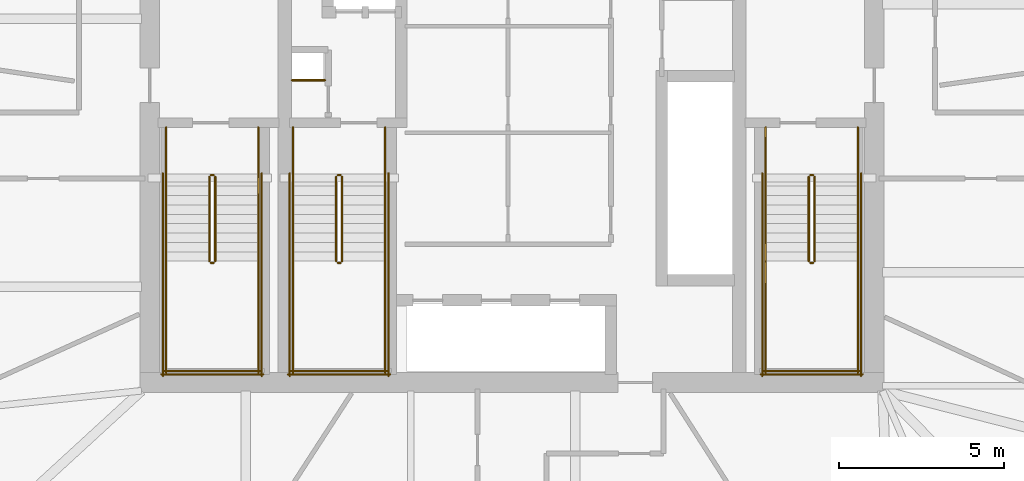
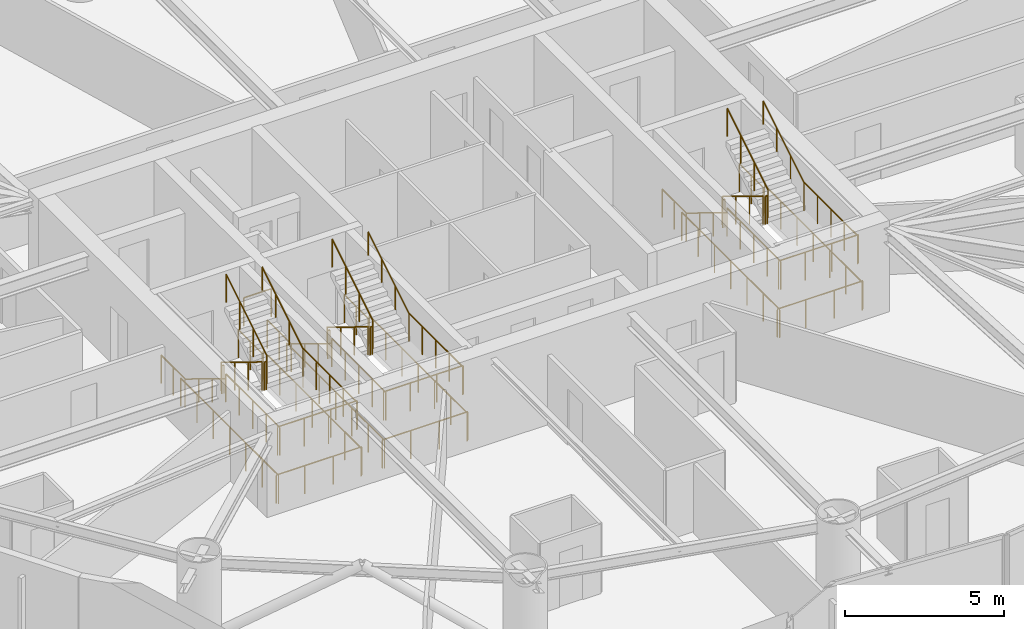
# One storey, part 21 of 22: 43 railings.
"""IFC4 building model written with IfcOpenShell, lengths in metres."""

from ifc_helpers import new_model, si_unit, direction, frame, origin, origin_2d, place, context, subcontext, project, spatial, circle, extrude, material, type_object, element, save


model = new_model("IFC4")

# Units and contexts
model_context = context("Model", 3, precision=1e-05, world=origin(), true_north=direction((0.0, 1.0)))
body_context = subcontext(model_context, "Body", "Model", "MODEL_VIEW")
ifc_project = project(units=[si_unit("LENGTHUNIT", "METRE"), si_unit("AREAUNIT", "SQUARE_METRE"), si_unit("VOLUMEUNIT", "CUBIC_METRE"), si_unit("PLANEANGLEUNIT", "RADIAN"), si_unit("MASSUNIT", "GRAM", prefix="KILO")], contexts=[model_context])

# Site, building, storey
site_placement = place(None, origin())
site = spatial("IfcSite", under=ifc_project, at=site_placement, CompositionType="ELEMENT")
building_placement = place(site_placement, origin())
building = spatial("IfcBuilding", under=site, at=building_placement, Name="Bramvorn Convention Spire", CompositionType="ELEMENT")
storey_placement = place(building_placement, frame((0.0, 0.0, 134.300048828125)))
storey = spatial("IfcBuildingStorey", under=building, at=storey_placement, Name="L33", CompositionType="ELEMENT", Elevation=134.300048828125)

# Railings
ifc_material_1 = material(Name="Painted Steel Balustrade & Guardrail", Category="steel")
railing_type_1 = type_object("IfcRailingType", Name="RL-STAIR-GUARD-1100", PredefinedType="GUARDRAIL", material=ifc_material_1)
railing_1_placement = place(storey_placement, frame((28.81005859375, 25.050048828125, 0.175048828125)))
element("IfcRailing", 1, at=railing_1_placement, inside=storey, type_object=railing_type_1, Name="L33 ST1 stair guard 1", PredefinedType="GUARDRAIL", context=body_context, shape_type="SweptSolid", body=[
    extrude(circle(Radius=0.02392578125, at=origin_2d()), frame((0.0, 0.0, 1.076171875), z_axis=(0.0, -0.852173129349, 0.523259933127), x_axis=(1.0, 0.0, 0.0)), (0.0, 0.0, 1.0), 3.009765625),
    extrude(circle(Radius=0.02099609375, at=origin_2d()), origin(), (0.0, 0.0, 1.0), 1.052001953125),
    extrude(circle(Radius=0.02099609375, at=origin_2d()), frame((0.0, -0.85498046875, 0.52490234375)), (0.0, 0.0, 1.0), 1.052001953125),
    extrude(circle(Radius=0.02099609375, at=origin_2d()), frame((0.0, -1.7099609375, 1.050048828125)), (0.0, 0.0, 1.0), 1.052001953125),
    extrude(circle(Radius=0.02099609375, at=origin_2d()), frame((0.0, -2.56494140625, 1.574951171875)), (0.0, 0.0, 1.0), 1.052001953125),
])
railing_2_placement = place(storey_placement, frame((28.860107421875, 22.43505859375, 1.75)))
element("IfcRailing", 2, at=railing_2_placement, inside=storey, type_object=railing_type_1, Name="L33 ST1 stair guard 2", PredefinedType="GUARDRAIL", context=body_context, shape_type="SweptSolid", body=[
    extrude(circle(Radius=0.02392578125, at=origin_2d()), frame((0.0, 0.0, 1.076171875), z_axis=(1.0, 0.0, 0.0), x_axis=(0.0, 1.0, 0.0)), (0.0, 0.0, 1.0), 0.079833984375),
    extrude(circle(Radius=0.02099609375, at=origin_2d()), origin(), (0.0, 0.0, 1.0), 1.052001953125),
    extrude(circle(Radius=0.02099609375, at=origin_2d()), frame((0.079833984375, 0.0, 0.0)), (0.0, 0.0, 1.0), 1.052001953125),
])
for number, where, name in (
    (3, (27.5, 22.485107421875, 1.75), "L33 ST1 stair guard 3"),
    (4, (30.300048828125, 22.485107421875, 1.75), "L33 ST1 stair guard 4"),
):
    element("IfcRailing", number, at=place(storey_placement, frame(where)), inside=storey, type_object=railing_type_1, Name=name, PredefinedType="GUARDRAIL", context=body_context, shape_type="SweptSolid", body=[
        extrude(circle(Radius=0.02392578125, at=origin_2d()), frame((0.0, 0.0, 1.076171875), z_axis=(0.0, -1.0, 0.0), x_axis=(1.0, 0.0, 0.0)), (0.0, 0.0, 1.0), 3.385009765625),
        extrude(circle(Radius=0.02099609375, at=origin_2d()), origin(), (0.0, 0.0, 1.0), 1.052001953125),
        extrude(circle(Radius=0.02099609375, at=origin_2d()), frame((0.0, -0.84619140625, 0.0)), (0.0, 0.0, 1.0), 1.052001953125),
        extrude(circle(Radius=0.02099609375, at=origin_2d()), frame((0.0, -1.6923828125, 0.0)), (0.0, 0.0, 1.0), 1.052001953125),
        extrude(circle(Radius=0.02099609375, at=origin_2d()), frame((0.0, -2.538818359375, 0.0)), (0.0, 0.0, 1.0), 1.052001953125),
        extrude(circle(Radius=0.02099609375, at=origin_2d()), frame((0.0, -3.385009765625, 0.0)), (0.0, 0.0, 1.0), 1.052001953125),
    ])
railing_3_placement = place(storey_placement, frame((27.449951171875, 19.14990234375, 1.75)))
element("IfcRailing", 5, at=railing_3_placement, inside=storey, type_object=railing_type_1, Name="L33 ST1 stair guard 5", PredefinedType="GUARDRAIL", context=body_context, shape_type="SweptSolid", body=[
    extrude(circle(Radius=0.02392578125, at=origin_2d()), frame((0.0, 0.0, 1.076171875), z_axis=(1.0, 0.0, 0.0), x_axis=(0.0, 1.0, 0.0)), (0.0, 0.0, 1.0), 2.900146484375),
    extrude(circle(Radius=0.02099609375, at=origin_2d()), origin(), (0.0, 0.0, 1.0), 1.052001953125),
    extrude(circle(Radius=0.02099609375, at=origin_2d()), frame((0.966796875, 0.0, 0.0)), (0.0, 0.0, 1.0), 1.052001953125),
    extrude(circle(Radius=0.02099609375, at=origin_2d()), frame((1.933349609375, 0.0, 0.0)), (0.0, 0.0, 1.0), 1.052001953125),
    extrude(circle(Radius=0.02099609375, at=origin_2d()), frame((2.900146484375, 0.0, 0.0)), (0.0, 0.0, 1.0), 1.052001953125),
])
railing_4_placement = place(storey_placement, frame((28.989990234375, 22.485107421875, 1.925048828125)))
element("IfcRailing", 6, at=railing_4_placement, inside=storey, type_object=railing_type_1, Name="L33 ST1 stair guard 6", PredefinedType="GUARDRAIL", context=body_context, shape_type="SweptSolid", body=[
    extrude(circle(Radius=0.02392578125, at=origin_2d()), frame((0.0, 0.0, 1.076171875), z_axis=(0.0, 0.852173129349, 0.523259933127), x_axis=(-1.0, 0.0, 0.0)), (0.0, 0.0, 1.0), 3.009765625),
    extrude(circle(Radius=0.02099609375, at=origin_2d()), origin(), (0.0, 0.0, 1.0), 1.052001953125),
    extrude(circle(Radius=0.02099609375, at=origin_2d()), frame((0.0, 0.85498046875, 0.52490234375)), (0.0, 0.0, 1.0), 1.052001953125),
    extrude(circle(Radius=0.02099609375, at=origin_2d()), frame((0.0, 1.7099609375, 1.050048828125)), (0.0, 0.0, 1.0), 1.052001953125),
    extrude(circle(Radius=0.02099609375, at=origin_2d()), frame((0.0, 2.56494140625, 1.574951171875)), (0.0, 0.0, 1.0), 1.052001953125),
])
railing_5_placement = place(storey_placement, frame((28.860107421875, 25.10009765625, 0.0)))
element("IfcRailing", 7, at=railing_5_placement, inside=storey, type_object=railing_type_1, Name="L33 ST1 stair guard 7", PredefinedType="GUARDRAIL", context=body_context, shape_type="SweptSolid", body=[
    extrude(circle(Radius=0.02392578125, at=origin_2d()), frame((0.0, 0.0, 1.076171875), z_axis=(1.0, 0.0, 0.0), x_axis=(0.0, 1.0, 0.0)), (0.0, 0.0, 1.0), 0.079833984375),
    extrude(circle(Radius=0.02099609375, at=origin_2d()), origin(), (0.0, 0.0, 1.0), 1.052001953125),
    extrude(circle(Radius=0.02099609375, at=origin_2d()), frame((0.079833984375, 0.0, 0.0)), (0.0, 0.0, 1.0), 1.052001953125),
])
for number, where, name in (
    (8, (27.5, 26.550048828125, 0.0), "L33 ST1 stair guard 8"),
    (9, (30.300048828125, 26.550048828125, 0.0), "L33 ST1 stair guard 9"),
):
    element("IfcRailing", number, at=place(storey_placement, frame(where)), inside=storey, type_object=railing_type_1, Name=name, PredefinedType="GUARDRAIL", context=body_context, shape_type="SweptSolid", body=[
        extrude(circle(Radius=0.02392578125, at=origin_2d()), frame((0.0, 0.0, 1.076171875), z_axis=(0.0, -1.0, 0.0), x_axis=(1.0, 0.0, 0.0)), (0.0, 0.0, 1.0), 1.5),
        extrude(circle(Radius=0.02099609375, at=origin_2d()), origin(), (0.0, 0.0, 1.0), 1.052001953125),
        extrude(circle(Radius=0.02099609375, at=origin_2d()), frame((0.0, -0.75, 0.0)), (0.0, 0.0, 1.0), 1.052001953125),
        extrude(circle(Radius=0.02099609375, at=origin_2d()), frame((0.0, -1.5, 0.0)), (0.0, 0.0, 1.0), 1.052001953125),
    ])
for number, where, name in (
    (10, (27.39990234375, 25.14990234375, 0.0), "L33 ST1 stair guard 10"),
    (11, (30.39990234375, 25.14990234375, 0.0), "L33 ST1 stair guard 11"),
):
    element("IfcRailing", number, at=place(storey_placement, frame(where)), inside=storey, type_object=railing_type_1, Name=name, PredefinedType="GUARDRAIL", context=body_context, shape_type="SweptSolid", body=[
        extrude(circle(Radius=0.02392578125, at=origin_2d()), frame((0.0, 0.0, 1.076171875), z_axis=(0.0, -1.0, 0.0), x_axis=(1.0, 0.0, 0.0)), (0.0, 0.0, 1.0), 6.14990234375),
        extrude(circle(Radius=0.02099609375, at=origin_2d()), origin(), (0.0, 0.0, 1.0), 1.052001953125),
        extrude(circle(Radius=0.02099609375, at=origin_2d()), frame((0.0, -1.02490234375, 0.0)), (0.0, 0.0, 1.0), 1.052001953125),
        extrude(circle(Radius=0.02099609375, at=origin_2d()), frame((0.0, -2.050048828125, 0.0)), (0.0, 0.0, 1.0), 1.052001953125),
        extrude(circle(Radius=0.02099609375, at=origin_2d()), frame((0.0, -3.074951171875, 0.0)), (0.0, 0.0, 1.0), 1.052001953125),
        extrude(circle(Radius=0.02099609375, at=origin_2d()), frame((0.0, -4.099853515625, 0.0)), (0.0, 0.0, 1.0), 1.052001953125),
        extrude(circle(Radius=0.02099609375, at=origin_2d()), frame((0.0, -5.125, 0.0)), (0.0, 0.0, 1.0), 1.052001953125),
        extrude(circle(Radius=0.02099609375, at=origin_2d()), frame((0.0, -6.14990234375, 0.0)), (0.0, 0.0, 1.0), 1.052001953125),
    ])
railing_6_placement = place(storey_placement, frame((27.35009765625, 19.050048828125, 0.0)))
element("IfcRailing", 12, at=railing_6_placement, inside=storey, type_object=railing_type_1, Name="L33 ST1 stair guard 12", PredefinedType="GUARDRAIL", context=body_context, shape_type="SweptSolid", body=[
    extrude(circle(Radius=0.02392578125, at=origin_2d()), frame((0.0, 0.0, 1.076171875), z_axis=(1.0, 0.0, 0.0), x_axis=(0.0, 1.0, 0.0)), (0.0, 0.0, 1.0), 3.099853515625),
    extrude(circle(Radius=0.02099609375, at=origin_2d()), origin(), (0.0, 0.0, 1.0), 1.052001953125),
    extrude(circle(Radius=0.02099609375, at=origin_2d()), frame((1.033203125, 0.0, 0.0)), (0.0, 0.0, 1.0), 1.052001953125),
    extrude(circle(Radius=0.02099609375, at=origin_2d()), frame((2.066650390625, 0.0, 0.0)), (0.0, 0.0, 1.0), 1.052001953125),
    extrude(circle(Radius=0.02099609375, at=origin_2d()), frame((3.099853515625, 0.0, 0.0)), (0.0, 0.0, 1.0), 1.052001953125),
])
railing_7_placement = place(storey_placement, frame((47.010009765625, 25.050048828125, 0.175048828125)))
element("IfcRailing", 13, at=railing_7_placement, inside=storey, type_object=railing_type_1, Name="L33 ST2 stair guard 1", PredefinedType="GUARDRAIL", context=body_context, shape_type="SweptSolid", body=[
    extrude(circle(Radius=0.02392578125, at=origin_2d()), frame((0.0, 0.0, 1.076171875), z_axis=(0.0, -0.852173129349, 0.523259933127), x_axis=(1.0, 0.0, 0.0)), (0.0, 0.0, 1.0), 3.009765625),
    extrude(circle(Radius=0.02099609375, at=origin_2d()), origin(), (0.0, 0.0, 1.0), 1.052001953125),
    extrude(circle(Radius=0.02099609375, at=origin_2d()), frame((0.0, -0.85498046875, 0.52490234375)), (0.0, 0.0, 1.0), 1.052001953125),
    extrude(circle(Radius=0.02099609375, at=origin_2d()), frame((0.0, -1.7099609375, 1.050048828125)), (0.0, 0.0, 1.0), 1.052001953125),
    extrude(circle(Radius=0.02099609375, at=origin_2d()), frame((0.0, -2.56494140625, 1.574951171875)), (0.0, 0.0, 1.0), 1.052001953125),
])
railing_8_placement = place(storey_placement, frame((47.06005859375, 22.43505859375, 1.75)))
element("IfcRailing", 14, at=railing_8_placement, inside=storey, type_object=railing_type_1, Name="L33 ST2 stair guard 2", PredefinedType="GUARDRAIL", context=body_context, shape_type="SweptSolid", body=[
    extrude(circle(Radius=0.02392578125, at=origin_2d()), frame((0.0, 0.0, 1.076171875), z_axis=(1.0, 0.0, 0.0), x_axis=(0.0, 1.0, 0.0)), (0.0, 0.0, 1.0), 0.079833984375),
    extrude(circle(Radius=0.02099609375, at=origin_2d()), origin(), (0.0, 0.0, 1.0), 1.052001953125),
    extrude(circle(Radius=0.02099609375, at=origin_2d()), frame((0.079833984375, 0.0, 0.0)), (0.0, 0.0, 1.0), 1.052001953125),
])
for number, where, name in (
    (15, (45.699951171875, 22.485107421875, 1.75), "L33 ST2 stair guard 3"),
    (16, (48.5, 22.485107421875, 1.75), "L33 ST2 stair guard 4"),
):
    element("IfcRailing", number, at=place(storey_placement, frame(where)), inside=storey, type_object=railing_type_1, Name=name, PredefinedType="GUARDRAIL", context=body_context, shape_type="SweptSolid", body=[
        extrude(circle(Radius=0.02392578125, at=origin_2d()), frame((0.0, 0.0, 1.076171875), z_axis=(0.0, -1.0, 0.0), x_axis=(1.0, 0.0, 0.0)), (0.0, 0.0, 1.0), 3.385009765625),
        extrude(circle(Radius=0.02099609375, at=origin_2d()), origin(), (0.0, 0.0, 1.0), 1.052001953125),
        extrude(circle(Radius=0.02099609375, at=origin_2d()), frame((0.0, -0.84619140625, 0.0)), (0.0, 0.0, 1.0), 1.052001953125),
        extrude(circle(Radius=0.02099609375, at=origin_2d()), frame((0.0, -1.6923828125, 0.0)), (0.0, 0.0, 1.0), 1.052001953125),
        extrude(circle(Radius=0.02099609375, at=origin_2d()), frame((0.0, -2.538818359375, 0.0)), (0.0, 0.0, 1.0), 1.052001953125),
        extrude(circle(Radius=0.02099609375, at=origin_2d()), frame((0.0, -3.385009765625, 0.0)), (0.0, 0.0, 1.0), 1.052001953125),
    ])
railing_9_placement = place(storey_placement, frame((45.64990234375, 19.14990234375, 1.75)))
element("IfcRailing", 17, at=railing_9_placement, inside=storey, type_object=railing_type_1, Name="L33 ST2 stair guard 5", PredefinedType="GUARDRAIL", context=body_context, shape_type="SweptSolid", body=[
    extrude(circle(Radius=0.02392578125, at=origin_2d()), frame((0.0, 0.0, 1.076171875), z_axis=(1.0, 0.0, 0.0), x_axis=(0.0, 1.0, 0.0)), (0.0, 0.0, 1.0), 2.900146484375),
    extrude(circle(Radius=0.02099609375, at=origin_2d()), origin(), (0.0, 0.0, 1.0), 1.052001953125),
    extrude(circle(Radius=0.02099609375, at=origin_2d()), frame((0.966796875, 0.0, 0.0)), (0.0, 0.0, 1.0), 1.052001953125),
    extrude(circle(Radius=0.02099609375, at=origin_2d()), frame((1.933349609375, 0.0, 0.0)), (0.0, 0.0, 1.0), 1.052001953125),
    extrude(circle(Radius=0.02099609375, at=origin_2d()), frame((2.900146484375, 0.0, 0.0)), (0.0, 0.0, 1.0), 1.052001953125),
])
railing_10_placement = place(storey_placement, frame((47.18994140625, 22.485107421875, 1.925048828125)))
element("IfcRailing", 18, at=railing_10_placement, inside=storey, type_object=railing_type_1, Name="L33 ST2 stair guard 6", PredefinedType="GUARDRAIL", context=body_context, shape_type="SweptSolid", body=[
    extrude(circle(Radius=0.02392578125, at=origin_2d()), frame((0.0, 0.0, 1.076171875), z_axis=(0.0, 0.852173129349, 0.523259933127), x_axis=(-1.0, 0.0, 0.0)), (0.0, 0.0, 1.0), 3.009765625),
    extrude(circle(Radius=0.02099609375, at=origin_2d()), origin(), (0.0, 0.0, 1.0), 1.052001953125),
    extrude(circle(Radius=0.02099609375, at=origin_2d()), frame((0.0, 0.85498046875, 0.52490234375)), (0.0, 0.0, 1.0), 1.052001953125),
    extrude(circle(Radius=0.02099609375, at=origin_2d()), frame((0.0, 1.7099609375, 1.050048828125)), (0.0, 0.0, 1.0), 1.052001953125),
    extrude(circle(Radius=0.02099609375, at=origin_2d()), frame((0.0, 2.56494140625, 1.574951171875)), (0.0, 0.0, 1.0), 1.052001953125),
])
railing_11_placement = place(storey_placement, frame((47.06005859375, 25.10009765625, 0.0)))
element("IfcRailing", 19, at=railing_11_placement, inside=storey, type_object=railing_type_1, Name="L33 ST2 stair guard 7", PredefinedType="GUARDRAIL", context=body_context, shape_type="SweptSolid", body=[
    extrude(circle(Radius=0.02392578125, at=origin_2d()), frame((0.0, 0.0, 1.076171875), z_axis=(1.0, 0.0, 0.0), x_axis=(0.0, 1.0, 0.0)), (0.0, 0.0, 1.0), 0.079833984375),
    extrude(circle(Radius=0.02099609375, at=origin_2d()), origin(), (0.0, 0.0, 1.0), 1.052001953125),
    extrude(circle(Radius=0.02099609375, at=origin_2d()), frame((0.079833984375, 0.0, 0.0)), (0.0, 0.0, 1.0), 1.052001953125),
])
for number, where, name in (
    (20, (45.699951171875, 26.550048828125, 0.0), "L33 ST2 stair guard 8"),
    (21, (48.5, 26.550048828125, 0.0), "L33 ST2 stair guard 9"),
):
    element("IfcRailing", number, at=place(storey_placement, frame(where)), inside=storey, type_object=railing_type_1, Name=name, PredefinedType="GUARDRAIL", context=body_context, shape_type="SweptSolid", body=[
        extrude(circle(Radius=0.02392578125, at=origin_2d()), frame((0.0, 0.0, 1.076171875), z_axis=(0.0, -1.0, 0.0), x_axis=(1.0, 0.0, 0.0)), (0.0, 0.0, 1.0), 1.5),
        extrude(circle(Radius=0.02099609375, at=origin_2d()), origin(), (0.0, 0.0, 1.0), 1.052001953125),
        extrude(circle(Radius=0.02099609375, at=origin_2d()), frame((0.0, -0.75, 0.0)), (0.0, 0.0, 1.0), 1.052001953125),
        extrude(circle(Radius=0.02099609375, at=origin_2d()), frame((0.0, -1.5, 0.0)), (0.0, 0.0, 1.0), 1.052001953125),
    ])
for number, where, name in (
    (22, (45.60009765625, 25.14990234375, 0.0), "L33 ST2 stair guard 10"),
    (23, (48.60009765625, 25.14990234375, 0.0), "L33 ST2 stair guard 11"),
):
    element("IfcRailing", number, at=place(storey_placement, frame(where)), inside=storey, type_object=railing_type_1, Name=name, PredefinedType="GUARDRAIL", context=body_context, shape_type="SweptSolid", body=[
        extrude(circle(Radius=0.02392578125, at=origin_2d()), frame((0.0, 0.0, 1.076171875), z_axis=(0.0, -1.0, 0.0), x_axis=(1.0, 0.0, 0.0)), (0.0, 0.0, 1.0), 6.14990234375),
        extrude(circle(Radius=0.02099609375, at=origin_2d()), origin(), (0.0, 0.0, 1.0), 1.052001953125),
        extrude(circle(Radius=0.02099609375, at=origin_2d()), frame((0.0, -1.02490234375, 0.0)), (0.0, 0.0, 1.0), 1.052001953125),
        extrude(circle(Radius=0.02099609375, at=origin_2d()), frame((0.0, -2.050048828125, 0.0)), (0.0, 0.0, 1.0), 1.052001953125),
        extrude(circle(Radius=0.02099609375, at=origin_2d()), frame((0.0, -3.074951171875, 0.0)), (0.0, 0.0, 1.0), 1.052001953125),
        extrude(circle(Radius=0.02099609375, at=origin_2d()), frame((0.0, -4.099853515625, 0.0)), (0.0, 0.0, 1.0), 1.052001953125),
        extrude(circle(Radius=0.02099609375, at=origin_2d()), frame((0.0, -5.125, 0.0)), (0.0, 0.0, 1.0), 1.052001953125),
        extrude(circle(Radius=0.02099609375, at=origin_2d()), frame((0.0, -6.14990234375, 0.0)), (0.0, 0.0, 1.0), 1.052001953125),
    ])
railing_12_placement = place(storey_placement, frame((45.550048828125, 19.050048828125, 0.0)))
element("IfcRailing", 24, at=railing_12_placement, inside=storey, type_object=railing_type_1, Name="L33 ST2 stair guard 12", PredefinedType="GUARDRAIL", context=body_context, shape_type="SweptSolid", body=[
    extrude(circle(Radius=0.02392578125, at=origin_2d()), frame((0.0, 0.0, 1.076171875), z_axis=(1.0, 0.0, 0.0), x_axis=(0.0, 1.0, 0.0)), (0.0, 0.0, 1.0), 3.099853515625),
    extrude(circle(Radius=0.02099609375, at=origin_2d()), origin(), (0.0, 0.0, 1.0), 1.052001953125),
    extrude(circle(Radius=0.02099609375, at=origin_2d()), frame((1.033203125, 0.0, 0.0)), (0.0, 0.0, 1.0), 1.052001953125),
    extrude(circle(Radius=0.02099609375, at=origin_2d()), frame((2.066650390625, 0.0, 0.0)), (0.0, 0.0, 1.0), 1.052001953125),
    extrude(circle(Radius=0.02099609375, at=origin_2d()), frame((3.099853515625, 0.0, 0.0)), (0.0, 0.0, 1.0), 1.052001953125),
])
railing_13_placement = place(storey_placement, frame((32.659912109375, 25.050048828125, 0.175048828125)))
element("IfcRailing", 25, at=railing_13_placement, inside=storey, type_object=railing_type_1, Name="L33 ST3 stair guard 1", PredefinedType="GUARDRAIL", context=body_context, shape_type="SweptSolid", body=[
    extrude(circle(Radius=0.02392578125, at=origin_2d()), frame((0.0, 0.0, 1.076171875), z_axis=(0.0, -0.852173129349, 0.523259933127), x_axis=(1.0, 0.0, 0.0)), (0.0, 0.0, 1.0), 3.009765625),
    extrude(circle(Radius=0.02099609375, at=origin_2d()), origin(), (0.0, 0.0, 1.0), 1.052001953125),
    extrude(circle(Radius=0.02099609375, at=origin_2d()), frame((0.0, -0.85498046875, 0.52490234375)), (0.0, 0.0, 1.0), 1.052001953125),
    extrude(circle(Radius=0.02099609375, at=origin_2d()), frame((0.0, -1.7099609375, 1.050048828125)), (0.0, 0.0, 1.0), 1.052001953125),
    extrude(circle(Radius=0.02099609375, at=origin_2d()), frame((0.0, -2.56494140625, 1.574951171875)), (0.0, 0.0, 1.0), 1.052001953125),
])
railing_14_placement = place(storey_placement, frame((32.7099609375, 22.43505859375, 1.75)))
element("IfcRailing", 26, at=railing_14_placement, inside=storey, type_object=railing_type_1, Name="L33 ST3 stair guard 2", PredefinedType="GUARDRAIL", context=body_context, shape_type="SweptSolid", body=[
    extrude(circle(Radius=0.02392578125, at=origin_2d()), frame((0.0, 0.0, 1.076171875), z_axis=(1.0, 0.0, 0.0), x_axis=(0.0, 1.0, 0.0)), (0.0, 0.0, 1.0), 0.080078125),
    extrude(circle(Radius=0.02099609375, at=origin_2d()), origin(), (0.0, 0.0, 1.0), 1.052001953125),
    extrude(circle(Radius=0.02099609375, at=origin_2d()), frame((0.080078125, 0.0, 0.0)), (0.0, 0.0, 1.0), 1.052001953125),
])
for number, where, name in (
    (27, (31.35009765625, 22.485107421875, 1.75), "L33 ST3 stair guard 3"),
    (28, (34.14990234375, 22.485107421875, 1.75), "L33 ST3 stair guard 4"),
):
    element("IfcRailing", number, at=place(storey_placement, frame(where)), inside=storey, type_object=railing_type_1, Name=name, PredefinedType="GUARDRAIL", context=body_context, shape_type="SweptSolid", body=[
        extrude(circle(Radius=0.02392578125, at=origin_2d()), frame((0.0, 0.0, 1.076171875), z_axis=(0.0, -1.0, 0.0), x_axis=(1.0, 0.0, 0.0)), (0.0, 0.0, 1.0), 3.385009765625),
        extrude(circle(Radius=0.02099609375, at=origin_2d()), origin(), (0.0, 0.0, 1.0), 1.052001953125),
        extrude(circle(Radius=0.02099609375, at=origin_2d()), frame((0.0, -0.84619140625, 0.0)), (0.0, 0.0, 1.0), 1.052001953125),
        extrude(circle(Radius=0.02099609375, at=origin_2d()), frame((0.0, -1.6923828125, 0.0)), (0.0, 0.0, 1.0), 1.052001953125),
        extrude(circle(Radius=0.02099609375, at=origin_2d()), frame((0.0, -2.538818359375, 0.0)), (0.0, 0.0, 1.0), 1.052001953125),
        extrude(circle(Radius=0.02099609375, at=origin_2d()), frame((0.0, -3.385009765625, 0.0)), (0.0, 0.0, 1.0), 1.052001953125),
    ])
railing_15_placement = place(storey_placement, frame((31.300048828125, 19.14990234375, 1.75)))
element("IfcRailing", 29, at=railing_15_placement, inside=storey, type_object=railing_type_1, Name="L33 ST3 stair guard 5", PredefinedType="GUARDRAIL", context=body_context, shape_type="SweptSolid", body=[
    extrude(circle(Radius=0.02392578125, at=origin_2d()), frame((0.0, 0.0, 1.076171875), z_axis=(1.0, 0.0, 0.0), x_axis=(0.0, 1.0, 0.0)), (0.0, 0.0, 1.0), 2.89990234375),
    extrude(circle(Radius=0.02099609375, at=origin_2d()), origin(), (0.0, 0.0, 1.0), 1.052001953125),
    extrude(circle(Radius=0.02099609375, at=origin_2d()), frame((0.966552734375, 0.0, 0.0)), (0.0, 0.0, 1.0), 1.052001953125),
    extrude(circle(Radius=0.02099609375, at=origin_2d()), frame((1.933349609375, 0.0, 0.0)), (0.0, 0.0, 1.0), 1.052001953125),
    extrude(circle(Radius=0.02099609375, at=origin_2d()), frame((2.89990234375, 0.0, 0.0)), (0.0, 0.0, 1.0), 1.052001953125),
])
railing_16_placement = place(storey_placement, frame((32.840087890625, 22.485107421875, 1.925048828125)))
element("IfcRailing", 30, at=railing_16_placement, inside=storey, type_object=railing_type_1, Name="L33 ST3 stair guard 6", PredefinedType="GUARDRAIL", context=body_context, shape_type="SweptSolid", body=[
    extrude(circle(Radius=0.02392578125, at=origin_2d()), frame((0.0, 0.0, 1.076171875), z_axis=(0.0, 0.852173129349, 0.523259933127), x_axis=(-1.0, 0.0, 0.0)), (0.0, 0.0, 1.0), 3.009765625),
    extrude(circle(Radius=0.02099609375, at=origin_2d()), origin(), (0.0, 0.0, 1.0), 1.052001953125),
    extrude(circle(Radius=0.02099609375, at=origin_2d()), frame((0.0, 0.85498046875, 0.52490234375)), (0.0, 0.0, 1.0), 1.052001953125),
    extrude(circle(Radius=0.02099609375, at=origin_2d()), frame((0.0, 1.7099609375, 1.050048828125)), (0.0, 0.0, 1.0), 1.052001953125),
    extrude(circle(Radius=0.02099609375, at=origin_2d()), frame((0.0, 2.56494140625, 1.574951171875)), (0.0, 0.0, 1.0), 1.052001953125),
])
railing_17_placement = place(storey_placement, frame((32.7099609375, 25.10009765625, 0.0)))
element("IfcRailing", 31, at=railing_17_placement, inside=storey, type_object=railing_type_1, Name="L33 ST3 stair guard 7", PredefinedType="GUARDRAIL", context=body_context, shape_type="SweptSolid", body=[
    extrude(circle(Radius=0.02392578125, at=origin_2d()), frame((0.0, 0.0, 1.076171875), z_axis=(1.0, 0.0, 0.0), x_axis=(0.0, 1.0, 0.0)), (0.0, 0.0, 1.0), 0.080078125),
    extrude(circle(Radius=0.02099609375, at=origin_2d()), origin(), (0.0, 0.0, 1.0), 1.052001953125),
    extrude(circle(Radius=0.02099609375, at=origin_2d()), frame((0.080078125, 0.0, 0.0)), (0.0, 0.0, 1.0), 1.052001953125),
])
for number, where, name in (
    (32, (31.35009765625, 26.550048828125, 0.0), "L33 ST3 stair guard 8"),
    (33, (34.14990234375, 26.550048828125, 0.0), "L33 ST3 stair guard 9"),
):
    element("IfcRailing", number, at=place(storey_placement, frame(where)), inside=storey, type_object=railing_type_1, Name=name, PredefinedType="GUARDRAIL", context=body_context, shape_type="SweptSolid", body=[
        extrude(circle(Radius=0.02392578125, at=origin_2d()), frame((0.0, 0.0, 1.076171875), z_axis=(0.0, -1.0, 0.0), x_axis=(1.0, 0.0, 0.0)), (0.0, 0.0, 1.0), 1.5),
        extrude(circle(Radius=0.02099609375, at=origin_2d()), origin(), (0.0, 0.0, 1.0), 1.052001953125),
        extrude(circle(Radius=0.02099609375, at=origin_2d()), frame((0.0, -0.75, 0.0)), (0.0, 0.0, 1.0), 1.052001953125),
        extrude(circle(Radius=0.02099609375, at=origin_2d()), frame((0.0, -1.5, 0.0)), (0.0, 0.0, 1.0), 1.052001953125),
    ])
for number, where, name in (
    (34, (31.25, 25.14990234375, 0.0), "L33 ST3 stair guard 10"),
    (35, (34.25, 25.14990234375, 0.0), "L33 ST3 stair guard 11"),
):
    element("IfcRailing", number, at=place(storey_placement, frame(where)), inside=storey, type_object=railing_type_1, Name=name, PredefinedType="GUARDRAIL", context=body_context, shape_type="SweptSolid", body=[
        extrude(circle(Radius=0.02392578125, at=origin_2d()), frame((0.0, 0.0, 1.076171875), z_axis=(0.0, -1.0, 0.0), x_axis=(1.0, 0.0, 0.0)), (0.0, 0.0, 1.0), 6.14990234375),
        extrude(circle(Radius=0.02099609375, at=origin_2d()), origin(), (0.0, 0.0, 1.0), 1.052001953125),
        extrude(circle(Radius=0.02099609375, at=origin_2d()), frame((0.0, -1.02490234375, 0.0)), (0.0, 0.0, 1.0), 1.052001953125),
        extrude(circle(Radius=0.02099609375, at=origin_2d()), frame((0.0, -2.050048828125, 0.0)), (0.0, 0.0, 1.0), 1.052001953125),
        extrude(circle(Radius=0.02099609375, at=origin_2d()), frame((0.0, -3.074951171875, 0.0)), (0.0, 0.0, 1.0), 1.052001953125),
        extrude(circle(Radius=0.02099609375, at=origin_2d()), frame((0.0, -4.099853515625, 0.0)), (0.0, 0.0, 1.0), 1.052001953125),
        extrude(circle(Radius=0.02099609375, at=origin_2d()), frame((0.0, -5.125, 0.0)), (0.0, 0.0, 1.0), 1.052001953125),
        extrude(circle(Radius=0.02099609375, at=origin_2d()), frame((0.0, -6.14990234375, 0.0)), (0.0, 0.0, 1.0), 1.052001953125),
    ])
railing_18_placement = place(storey_placement, frame((31.199951171875, 19.050048828125, 0.0)))
element("IfcRailing", 36, at=railing_18_placement, inside=storey, type_object=railing_type_1, Name="L33 ST3 stair guard 12", PredefinedType="GUARDRAIL", context=body_context, shape_type="SweptSolid", body=[
    extrude(circle(Radius=0.02392578125, at=origin_2d()), frame((0.0, 0.0, 1.076171875), z_axis=(1.0, 0.0, 0.0), x_axis=(0.0, 1.0, 0.0)), (0.0, 0.0, 1.0), 3.10009765625),
    extrude(circle(Radius=0.02099609375, at=origin_2d()), origin(), (0.0, 0.0, 1.0), 1.052001953125),
    extrude(circle(Radius=0.02099609375, at=origin_2d()), frame((1.033447265625, 0.0, 0.0)), (0.0, 0.0, 1.0), 1.052001953125),
    extrude(circle(Radius=0.02099609375, at=origin_2d()), frame((2.066650390625, 0.0, 0.0)), (0.0, 0.0, 1.0), 1.052001953125),
    extrude(circle(Radius=0.02099609375, at=origin_2d()), frame((3.10009765625, 0.0, 0.0)), (0.0, 0.0, 1.0), 1.052001953125),
])
railing_19_placement = place(storey_placement, frame((31.320068359375, 27.97998046875, 0.0)))
element("IfcRailing", 37, at=railing_19_placement, inside=storey, type_object=railing_type_1, Name="L33 Telecom riser shaft opening safety guardrail", PredefinedType="GUARDRAIL", context=body_context, shape_type="SweptSolid", body=[
    extrude(circle(Radius=0.02392578125, at=origin_2d()), frame((0.0, 0.0, 1.076171875), z_axis=(1.0, 0.0, 0.0), x_axis=(0.0, 1.0, 0.0)), (0.0, 0.0, 1.0), 1.0),
    extrude(circle(Radius=0.02099609375, at=origin_2d()), origin(), (0.0, 0.0, 1.0), 1.052001953125),
    extrude(circle(Radius=0.02099609375, at=origin_2d()), frame((1.0, 0.0, 0.0)), (0.0, 0.0, 1.0), 1.052001953125),
])
ifc_material_2 = material(Name="Brushed Bronze Tubular Handrail", Category="aluminium")
railing_type_2 = type_object("IfcRailingType", Name="RL-STAIR-HR-920", PredefinedType="HANDRAIL", material=ifc_material_2)
railing_20_placement = place(storey_placement, frame((27.5, 25.050048828125, 0.175048828125)))
element("IfcRailing", 38, at=railing_20_placement, inside=storey, type_object=railing_type_2, Name="L33 ST1 stair handrail 1", PredefinedType="HANDRAIL", context=body_context, shape_type="SweptSolid", body=[
    extrude(circle(Radius=0.02392578125, at=origin_2d()), frame((0.0, 0.0, 0.89599609375), z_axis=(0.0, -0.852173129349, 0.523259933127), x_axis=(1.0, 0.0, 0.0)), (0.0, 0.0, 1.0), 3.009765625),
    extrude(circle(Radius=0.02099609375, at=origin_2d()), origin(), (0.0, 0.0, 1.0), 0.871826171875),
    extrude(circle(Radius=0.02099609375, at=origin_2d()), frame((0.0, -0.85498046875, 0.52490234375)), (0.0, 0.0, 1.0), 0.871826171875),
    extrude(circle(Radius=0.02099609375, at=origin_2d()), frame((0.0, -1.7099609375, 1.050048828125)), (0.0, 0.0, 1.0), 0.871826171875),
    extrude(circle(Radius=0.02099609375, at=origin_2d()), frame((0.0, -2.56494140625, 1.574951171875)), (0.0, 0.0, 1.0), 0.871826171875),
])
railing_21_placement = place(storey_placement, frame((30.300048828125, 22.485107421875, 1.925048828125)))
element("IfcRailing", 39, at=railing_21_placement, inside=storey, type_object=railing_type_2, Name="L33 ST1 stair handrail 2", PredefinedType="HANDRAIL", context=body_context, shape_type="SweptSolid", body=[
    extrude(circle(Radius=0.02392578125, at=origin_2d()), frame((0.0, 0.0, 0.89599609375), z_axis=(0.0, 0.852173129349, 0.523259933127), x_axis=(-1.0, 0.0, 0.0)), (0.0, 0.0, 1.0), 3.009765625),
    extrude(circle(Radius=0.02099609375, at=origin_2d()), origin(), (0.0, 0.0, 1.0), 0.871826171875),
    extrude(circle(Radius=0.02099609375, at=origin_2d()), frame((0.0, 0.85498046875, 0.52490234375)), (0.0, 0.0, 1.0), 0.871826171875),
    extrude(circle(Radius=0.02099609375, at=origin_2d()), frame((0.0, 1.7099609375, 1.050048828125)), (0.0, 0.0, 1.0), 0.871826171875),
    extrude(circle(Radius=0.02099609375, at=origin_2d()), frame((0.0, 2.56494140625, 1.574951171875)), (0.0, 0.0, 1.0), 0.871826171875),
])
railing_22_placement = place(storey_placement, frame((45.699951171875, 25.050048828125, 0.175048828125)))
element("IfcRailing", 40, at=railing_22_placement, inside=storey, type_object=railing_type_2, Name="L33 ST2 stair handrail 1", PredefinedType="HANDRAIL", context=body_context, shape_type="SweptSolid", body=[
    extrude(circle(Radius=0.02392578125, at=origin_2d()), frame((0.0, 0.0, 0.89599609375), z_axis=(0.0, -0.852173129349, 0.523259933127), x_axis=(1.0, 0.0, 0.0)), (0.0, 0.0, 1.0), 3.009765625),
    extrude(circle(Radius=0.02099609375, at=origin_2d()), origin(), (0.0, 0.0, 1.0), 0.871826171875),
    extrude(circle(Radius=0.02099609375, at=origin_2d()), frame((0.0, -0.85498046875, 0.52490234375)), (0.0, 0.0, 1.0), 0.871826171875),
    extrude(circle(Radius=0.02099609375, at=origin_2d()), frame((0.0, -1.7099609375, 1.050048828125)), (0.0, 0.0, 1.0), 0.871826171875),
    extrude(circle(Radius=0.02099609375, at=origin_2d()), frame((0.0, -2.56494140625, 1.574951171875)), (0.0, 0.0, 1.0), 0.871826171875),
])
railing_23_placement = place(storey_placement, frame((48.5, 22.485107421875, 1.925048828125)))
element("IfcRailing", 41, at=railing_23_placement, inside=storey, type_object=railing_type_2, Name="L33 ST2 stair handrail 2", PredefinedType="HANDRAIL", context=body_context, shape_type="SweptSolid", body=[
    extrude(circle(Radius=0.02392578125, at=origin_2d()), frame((0.0, 0.0, 0.89599609375), z_axis=(0.0, 0.852173129349, 0.523259933127), x_axis=(-1.0, 0.0, 0.0)), (0.0, 0.0, 1.0), 3.009765625),
    extrude(circle(Radius=0.02099609375, at=origin_2d()), origin(), (0.0, 0.0, 1.0), 0.871826171875),
    extrude(circle(Radius=0.02099609375, at=origin_2d()), frame((0.0, 0.85498046875, 0.52490234375)), (0.0, 0.0, 1.0), 0.871826171875),
    extrude(circle(Radius=0.02099609375, at=origin_2d()), frame((0.0, 1.7099609375, 1.050048828125)), (0.0, 0.0, 1.0), 0.871826171875),
    extrude(circle(Radius=0.02099609375, at=origin_2d()), frame((0.0, 2.56494140625, 1.574951171875)), (0.0, 0.0, 1.0), 0.871826171875),
])
railing_24_placement = place(storey_placement, frame((31.35009765625, 25.050048828125, 0.175048828125)))
element("IfcRailing", 42, at=railing_24_placement, inside=storey, type_object=railing_type_2, Name="L33 ST3 stair handrail 1", PredefinedType="HANDRAIL", context=body_context, shape_type="SweptSolid", body=[
    extrude(circle(Radius=0.02392578125, at=origin_2d()), frame((0.0, 0.0, 0.89599609375), z_axis=(0.0, -0.852173129349, 0.523259933127), x_axis=(1.0, 0.0, 0.0)), (0.0, 0.0, 1.0), 3.009765625),
    extrude(circle(Radius=0.02099609375, at=origin_2d()), origin(), (0.0, 0.0, 1.0), 0.871826171875),
    extrude(circle(Radius=0.02099609375, at=origin_2d()), frame((0.0, -0.85498046875, 0.52490234375)), (0.0, 0.0, 1.0), 0.871826171875),
    extrude(circle(Radius=0.02099609375, at=origin_2d()), frame((0.0, -1.7099609375, 1.050048828125)), (0.0, 0.0, 1.0), 0.871826171875),
    extrude(circle(Radius=0.02099609375, at=origin_2d()), frame((0.0, -2.56494140625, 1.574951171875)), (0.0, 0.0, 1.0), 0.871826171875),
])
railing_25_placement = place(storey_placement, frame((34.14990234375, 22.485107421875, 1.925048828125)))
element("IfcRailing", 43, at=railing_25_placement, inside=storey, type_object=railing_type_2, Name="L33 ST3 stair handrail 2", PredefinedType="HANDRAIL", context=body_context, shape_type="SweptSolid", body=[
    extrude(circle(Radius=0.02392578125, at=origin_2d()), frame((0.0, 0.0, 0.89599609375), z_axis=(0.0, 0.852173129349, 0.523259933127), x_axis=(-1.0, 0.0, 0.0)), (0.0, 0.0, 1.0), 3.009765625),
    extrude(circle(Radius=0.02099609375, at=origin_2d()), origin(), (0.0, 0.0, 1.0), 0.871826171875),
    extrude(circle(Radius=0.02099609375, at=origin_2d()), frame((0.0, 0.85498046875, 0.52490234375)), (0.0, 0.0, 1.0), 0.871826171875),
    extrude(circle(Radius=0.02099609375, at=origin_2d()), frame((0.0, 1.7099609375, 1.050048828125)), (0.0, 0.0, 1.0), 0.871826171875),
    extrude(circle(Radius=0.02099609375, at=origin_2d()), frame((0.0, 2.56494140625, 1.574951171875)), (0.0, 0.0, 1.0), 0.871826171875),
])

save(model, "model.ifc")
